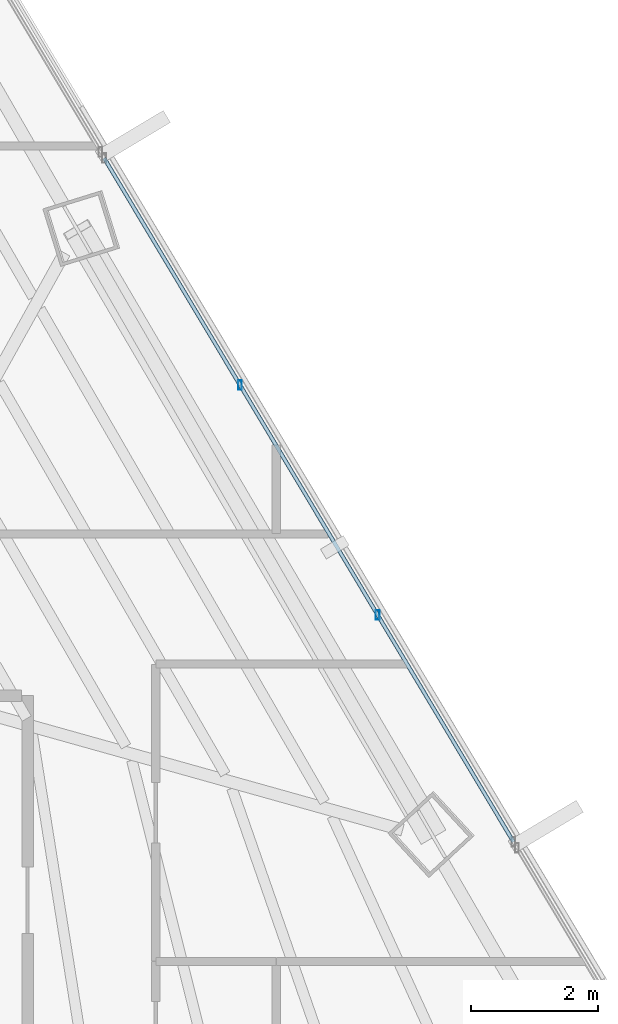
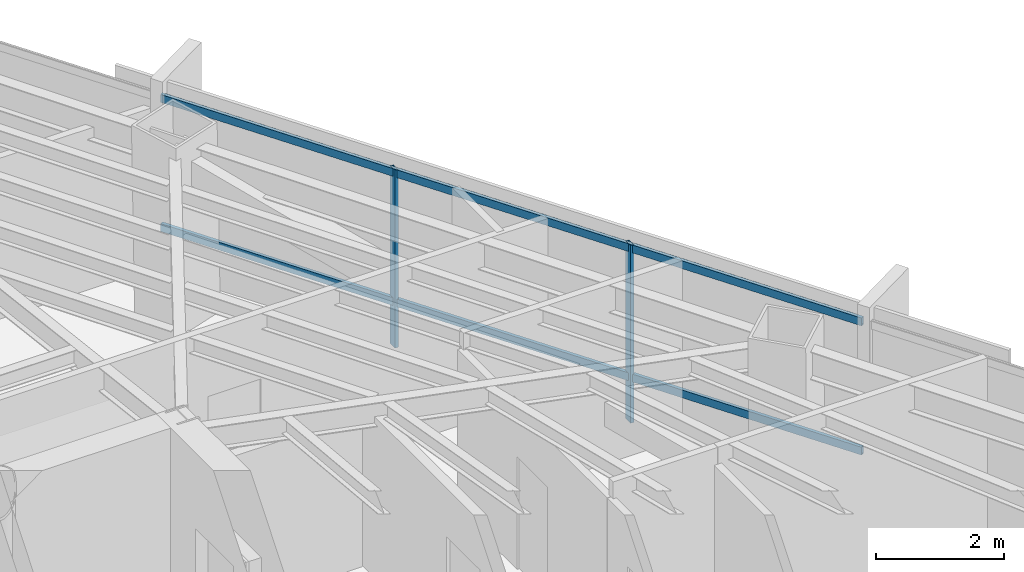
# One storey, part 25 of 41: 4 members, 1 element without a shape of its own.
"""IFC4 building model written with IfcOpenShell, lengths in metres."""

from ifc_helpers import new_model, si_unit, direction, frame, origin, origin_2d, place, context, subcontext, project, spatial, hollow_rectangle, extrude, source, transform, mapped, material, material_profile, profile_set, type_object, type_shapes, element, aggregate, save


model = new_model("IFC4")

# Units and contexts
model_context = context("Model", 3, precision=1e-05, world=origin(), true_north=direction((0.0, 1.0)))
body_context = subcontext(model_context, "Body", "Model", "MODEL_VIEW")
ifc_project = project(units=[si_unit("LENGTHUNIT", "METRE"), si_unit("AREAUNIT", "SQUARE_METRE"), si_unit("VOLUMEUNIT", "CUBIC_METRE"), si_unit("PLANEANGLEUNIT", "RADIAN"), si_unit("MASSUNIT", "GRAM", prefix="KILO")], contexts=[model_context])

# Site, building, storey
site_placement = place(None, origin())
site = spatial("IfcSite", under=ifc_project, at=site_placement, CompositionType="ELEMENT")
building_placement = place(site_placement, origin())
building = spatial("IfcBuilding", under=site, at=building_placement, Name="Caelisora Broadcast Tower", CompositionType="ELEMENT")
storey_placement = place(building_placement, frame((0.0, 0.0, 169.449951171875)))
storey = spatial("IfcBuildingStorey", under=building, at=storey_placement, Name="L44", CompositionType="ELEMENT", Elevation=169.449951171875)

# Curtain wall, members
ifc_material_1 = material(Name="Unitised Aluminium Insulated Shadow-Box Spandrel Curtain Wall", Category="aluminium")
curtain_wall_type = type_object("IfcCurtainWallType", Name="CW-SP2", PredefinedType="NOTDEFINED", material=ifc_material_1)
curtain_wall_placement = place(storey_placement, origin())
curtain_wall = element("IfcCurtainWall", 1, at=curtain_wall_placement, inside=storey, type_object=curtain_wall_type, Name="L44 curtain wall CW-SP2", PredefinedType="NOTDEFINED")
ifc_material_2 = material(Name="Aluminium 6063-T6 Anodised Terracotta Bronze", Category="aluminium")
ifc_material_profile_1 = material_profile(ifc_material_2, hollow_rectangle(XDim=0.06005859375, YDim=0.14990234375, WallThickness=0.00341796875, at=origin_2d()), Name="Aluminium 6063-T6 Anodised Terracotta Bronze")
ifc_profile_set_1 = profile_set([ifc_material_profile_1], Name="Aluminium 6063-T6 Anodised Terracotta Bronze")
member_type_1 = type_object("IfcMemberType", Name="CWM-03", PredefinedType="MULLION", material=ifc_profile_set_1)
shared_shape_1 = source(origin(), body_context, "Body", "SweptSolid", [
    extrude(hollow_rectangle(XDim=0.06005859375, YDim=0.14990234375, WallThickness=0.00341796875, at=origin_2d()), origin(), (0.0, 0.0, 1.0), 3.400146484375),
])
type_shapes(member_type_1, [shared_shape_1])
member_1_placement = place(storey_placement, frame((51.930419921875, 34.497802734375, 0.0), z_axis=(0.0, 0.0, 1.0), x_axis=(1.0, 0.0, 0.0)))
member_1 = element("IfcMember", 2, at=member_1_placement, type_object=member_type_1, Name="L44-CW-B02 mullion #1", PredefinedType="MULLION", context=body_context, shape_type="MappedRepresentation", body=[
    mapped(shared_shape_1, transform((0.0, 0.0, 0.0), scale=1.0)),
])
member_2_placement = place(storey_placement, frame((54.09912109375, 30.875, 0.0), z_axis=(0.0, 0.0, 1.0), x_axis=(1.0, 0.0, 0.0)))
member_2 = element("IfcMember", 3, at=member_2_placement, type_object=member_type_1, Name="L44-CW-B02 mullion #2", PredefinedType="MULLION", context=body_context, shape_type="MappedRepresentation", body=[
    mapped(shared_shape_1, transform((0.0, 0.0, 0.0), scale=1.0)),
])
ifc_material_profile_2 = material_profile(ifc_material_2, hollow_rectangle(XDim=0.06005859375, YDim=0.14990234375, WallThickness=0.00341796875, at=origin_2d()), Name="Aluminium 6063-T6 Anodised Terracotta Bronze")
ifc_profile_set_2 = profile_set([ifc_material_profile_2], Name="Aluminium 6063-T6 Anodised Terracotta Bronze")
member_type_2 = type_object("IfcMemberType", Name="CWT-02", PredefinedType="USERDEFINED", material=ifc_profile_set_2)
shared_shape_2 = source(origin(), body_context, "Body", "SweptSolid", [
    extrude(hollow_rectangle(XDim=0.06005859375, YDim=0.14990234375, WallThickness=0.00341796875, at=origin_2d()), origin(), (0.0, 0.0, 1.0), 12.567138671875),
])
type_shapes(member_type_2, [shared_shape_2])
member_3_placement = place(storey_placement, frame((49.787109375, 38.07763671875, 0.85009765625), z_axis=(0.513667014567, -0.857989625897, 0.0), x_axis=(0.857989625897, 0.513667014567, 0.0)))
member_3 = element("IfcMember", 4, at=member_3_placement, type_object=member_type_2, Name="L44-CW-B02 transom #1", ObjectType="TRANSOM", PredefinedType="USERDEFINED", context=body_context, shape_type="MappedRepresentation", body=[
    mapped(shared_shape_2, transform((0.0, 0.0, 0.0), scale=1.0)),
])
member_4_placement = place(storey_placement, frame((49.787109375, 38.07763671875, 3.320068359375), z_axis=(0.513667014567, -0.857989625897, 0.0), x_axis=(0.857989625897, 0.513667014567, 0.0)))
member_4 = element("IfcMember", 5, at=member_4_placement, type_object=member_type_2, Name="L44-CW-B02 transom #2", ObjectType="TRANSOM", PredefinedType="USERDEFINED", context=body_context, shape_type="MappedRepresentation", body=[
    mapped(shared_shape_2, transform((0.0, 0.0, 0.0), scale=1.0)),
])
aggregate(curtain_wall, [member_1, member_2, member_3, member_4])

save(model, "model.ifc")
